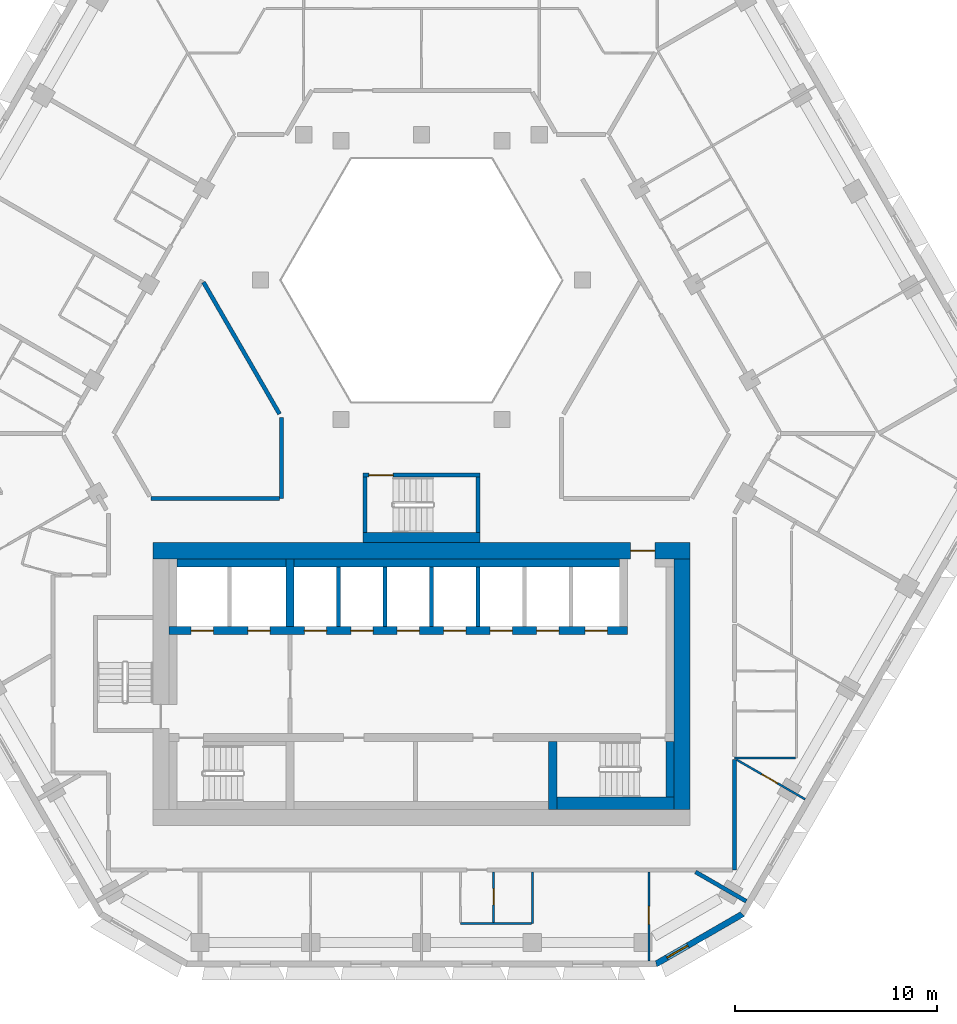
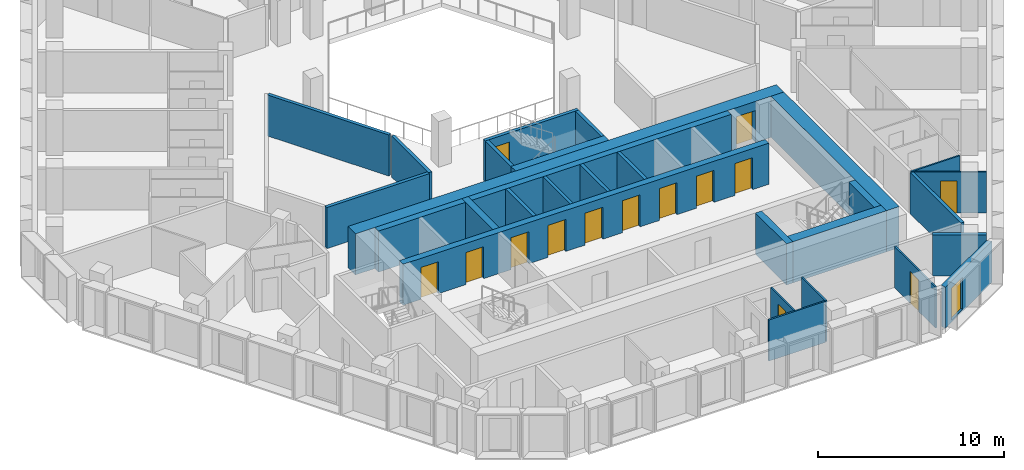
# One storey, part 5 of 15: 29 walls, 14 doors, 1 window, 15 openings.
"""IFC4 building model written with IfcOpenShell, lengths in metres."""

from ifc_helpers import new_model, si_unit, direction, frame, frame_2d, origin, place, context, subcontext, project, spatial, polyline, rectangle, outline, extrude, material, layer, layer_set, type_object, element, fill, save


model = new_model("IFC4")

# Units and contexts
model_context = context("Model", 3, precision=1e-05, world=origin(), true_north=direction((0.0, 1.0)))
body_context = subcontext(model_context, "Body", "Model", "MODEL_VIEW")
ifc_project = project(units=[si_unit("LENGTHUNIT", "METRE"), si_unit("AREAUNIT", "SQUARE_METRE"), si_unit("VOLUMEUNIT", "CUBIC_METRE"), si_unit("PLANEANGLEUNIT", "RADIAN"), si_unit("MASSUNIT", "GRAM", prefix="KILO")], contexts=[model_context])

# Site, building, storey
site_placement = place(None, origin())
site = spatial("IfcSite", under=ifc_project, at=site_placement, CompositionType="ELEMENT")
building_placement = place(site_placement, origin())
building = spatial("IfcBuilding", under=site, at=building_placement, Name="Beryl Residences", CompositionType="ELEMENT")
storey_placement = place(building_placement, frame((0.0, 0.0, 147.60009765625)))
storey = spatial("IfcBuildingStorey", under=building, at=storey_placement, Name="L45", CompositionType="ELEMENT", Elevation=147.60009765625)

# Wall, opening, window
ifc_material_1 = material(Name="Composite metal panel with mineral wool insulation")
ifc_layer_1 = layer(ifc_material_1, 0.300048828125)
ifc_layer_set_1 = layer_set([ifc_layer_1], Name="ES1 pale metal composite panel wall 300 mm")
wall_type_1 = type_object("IfcWallType", Name="ES1 pale metal composite panel wall 300 mm", PredefinedType="SOLIDWALL", material=ifc_layer_set_1)
wall_1_placement = place(storey_placement, frame((11.5869140625, -25.8701171875, 0.0), z_axis=(0.0, 0.0, 1.0), x_axis=(0.866022959057, 0.500004234368, 0.0)))
wall_1 = element("IfcWall", 1, at=wall_1_placement, inside=storey, type_object=wall_type_1, Name="ES1 external wall L45 S-SE", PredefinedType="SOLIDWALL", context=body_context, shape_type="SweptSolid", body=[
    extrude(outline(polyline([(0.0, -0.14990234375), (5.0, -0.14990234375), (4.919677734375, 0.14990234375), (0.080322265625, 0.14990234375), (0.0, -0.14990234375)])), origin(), (0.0, 0.0, 1.0), 2.699951171875),
])
opening_1_placement = place(wall_1_placement, frame((0.64990234375, 0.0, 0.14990234375)))
opening_1 = element("IfcOpeningElement", 2, at=opening_1_placement, cuts=wall_1, Name="Opening W2", PredefinedType="OPENING", context=body_context, shape_type="SweptSolid", body=[
    extrude(rectangle(XDim=1.199951171875, YDim=2.10009765625, at=frame_2d((0.60009765625, 1.050048828125))), frame((0.0, 0.159912109375, 0.0), z_axis=(0.0, -1.0, 0.0), x_axis=(1.0, 0.0, 0.0)), (0.0, 0.0, 1.0), 0.320068359375),
])
ifc_material_2 = material(Name="Aluminium and clear glass", Category="aluminium")
window_type = type_object("IfcWindowType", Name="W2 chamfer window 1200 x 2100 mm", PartitioningType="SINGLE_PANEL", PredefinedType="WINDOW", material=ifc_material_2)
window_placement = place(opening_1_placement, origin())
window = element("IfcWindow", 3, at=window_placement, inside=storey, type_object=window_type, Name="W2 window L45 S-SE 1", OverallHeight=2.10009765625, OverallWidth=1.199951171875, PartitioningType="SINGLE_PANEL", PredefinedType="WINDOW", context=body_context, shape_type="SweptSolid", body=[
    extrude(rectangle(XDim=1.199951171875, YDim=2.10009765625, at=frame_2d((0.60009765625, 1.050048828125))), frame((0.0, 0.030029296875, 0.0), z_axis=(0.0, -1.0, 0.0), x_axis=(1.0, 0.0, 0.0)), (0.0, 0.0, 1.0), 0.06005859375),
])
fill(opening_1, window)

# Wall, opening, door
ifc_material_3 = material(Name="Gypsum board partition on steel studs", Category="steel")
ifc_layer_2 = layer(ifc_material_3, 0.10009765625)
ifc_layer_set_2 = layer_set([ifc_layer_2], Name="PT1 partition 100 mm gypsum board on steel studs")
wall_type_2 = type_object("IfcWallType", Name="PT1 partition 100 mm gypsum board on steel studs", PredefinedType="PARTITIONING", material=ifc_layer_set_2)
wall_2_placement = place(storey_placement, frame((15.5869140625, -15.73388671875, 0.0), z_axis=(0.0, 0.0, 1.0), x_axis=(0.866023334807, -0.500003583557, 0.0)))
wall_2 = element("IfcWall", 4, at=wall_2_placement, inside=storey, type_object=wall_type_2, Name="Wall PT1 L45 010", PredefinedType="PARTITIONING", context=body_context, shape_type="SweptSolid", body=[
    extrude(rectangle(XDim=3.93408203125, YDim=0.10009765625, at=frame_2d((1.967041015625, 0.0))), origin(), (0.0, 0.0, 1.0), 2.699951171875),
])
opening_2_placement = place(wall_2_placement, frame((1.467041015625, 0.0, 0.0)))
opening_2 = element("IfcOpeningElement", 5, at=opening_2_placement, cuts=wall_2, Name="Opening D1311", PredefinedType="OPENING", context=body_context, shape_type="SweptSolid", body=[
    extrude(rectangle(XDim=0.89990234375, YDim=2.10009765625, at=frame_2d((0.449951171875, 1.050048828125))), frame((0.0, 0.06005859375, 0.0), z_axis=(0.0, -1.0, 0.0), x_axis=(1.0, 0.0, 0.0)), (0.0, 0.0, 1.0), 0.1201171875),
])
ifc_material_4 = material(Name="Timber door leaf", Category="wood")
door_type_1 = type_object("IfcDoorType", Name="D2 room door 900 x 2100 mm", OperationType="SINGLE_SWING_LEFT", PredefinedType="DOOR", material=ifc_material_4)
door_1_placement = place(opening_2_placement, origin())
door_1 = element("IfcDoor", 6, at=door_1_placement, inside=storey, type_object=door_type_1, Name="Door D1311 L45 001", OperationType="SINGLE_SWING_LEFT", OverallHeight=2.10009765625, OverallWidth=0.89990234375, PredefinedType="DOOR", context=body_context, shape_type="SweptSolid", body=[
    extrude(rectangle(XDim=0.89990234375, YDim=2.10009765625, at=frame_2d((0.449951171875, 1.050048828125))), frame((0.0, 0.02490234375, 0.0), z_axis=(0.0, -1.0, 0.0), x_axis=(1.0, 0.0, 0.0)), (0.0, 0.0, 1.0), 0.050048828125),
])
fill(opening_2, door_1)

# Walls
wall_3_placement = place(storey_placement, frame((15.5, -15.652099609375, 0.0), z_axis=(0.0, 0.0, 1.0), x_axis=(1.0, 0.0, 0.0)))
element("IfcWall", 7, at=wall_3_placement, inside=storey, type_object=wall_type_2, Name="Wall PT1 L45 022", PredefinedType="PARTITIONING", context=body_context, shape_type="SweptSolid", body=[
    extrude(rectangle(XDim=3.010009765625, YDim=0.10009765625, at=frame_2d((1.5048828125, 0.0))), origin(), (0.0, 0.0, 1.0), 2.699951171875),
])
wall_4_placement = place(storey_placement, frame((1.922119140625, -23.860107421875, 0.0), z_axis=(0.0, 0.0, 1.0), x_axis=(1.0, 0.0, 0.0)))
element("IfcWall", 8, at=wall_4_placement, inside=storey, type_object=wall_type_2, Name="Wall PT1 L45 023", PredefinedType="PARTITIONING", context=body_context, shape_type="SweptSolid", body=[
    extrude(rectangle(XDim=3.512939453125, YDim=0.10009765625, at=frame_2d((1.75634765625, 0.0))), origin(), (0.0, 0.0, 1.0), 2.699951171875),
])

# Wall, opening, door
wall_5_placement = place(storey_placement, frame((3.56591796875, -23.81005859375, 0.0), z_axis=(0.0, 0.0, 1.0), x_axis=(0.0, 1.0, 0.0)))
wall_5 = element("IfcWall", 9, at=wall_5_placement, inside=storey, type_object=wall_type_2, Name="Wall PT1 L45 036", PredefinedType="PARTITIONING", context=body_context, shape_type="SweptSolid", body=[
    extrude(rectangle(XDim=2.510009765625, YDim=0.10009765625, at=frame_2d((1.2548828125, 0.0))), origin(), (0.0, 0.0, 1.0), 2.699951171875),
])
opening_3_placement = place(wall_5_placement, frame((0.8798828125, 0.0, 0.0)))
opening_3 = element("IfcOpeningElement", 10, at=opening_3_placement, cuts=wall_5, Name="Opening D1303", PredefinedType="OPENING", context=body_context, shape_type="SweptSolid", body=[
    extrude(rectangle(XDim=0.800048828125, YDim=2.10009765625, at=frame_2d((0.39990234375, 1.050048828125))), frame((0.0, 0.06005859375, 0.0), z_axis=(0.0, -1.0, 0.0), x_axis=(1.0, 0.0, 0.0)), (0.0, 0.0, 1.0), 0.1201171875),
])
ifc_material_5 = material(Name="Timber door leaf", Category="wood")
door_type_2 = type_object("IfcDoorType", Name="D3 bathroom door 800 x 2100 mm", OperationType="SINGLE_SWING_LEFT", PredefinedType="DOOR", material=ifc_material_5)
door_2_placement = place(opening_3_placement, origin())
door_2 = element("IfcDoor", 11, at=door_2_placement, inside=storey, type_object=door_type_2, Name="Door D1303 L45 001", OperationType="SINGLE_SWING_LEFT", OverallHeight=2.10009765625, OverallWidth=0.800048828125, PredefinedType="DOOR", context=body_context, shape_type="SweptSolid", body=[
    extrude(rectangle(XDim=0.800048828125, YDim=2.10009765625, at=frame_2d((0.39990234375, 1.050048828125))), frame((0.0, 0.02490234375, 0.0), z_axis=(0.0, -1.0, 0.0), x_axis=(1.0, 0.0, 0.0)), (0.0, 0.0, 1.0), 0.050048828125),
])
fill(opening_3, door_2)

# Wall
wall_6_placement = place(storey_placement, frame((5.486083984375, -23.85888671875, 0.0), z_axis=(0.0, 0.0, 1.0), x_axis=(0.0, 1.0, 0.0)))
element("IfcWall", 12, at=wall_6_placement, inside=storey, type_object=wall_type_2, Name="Wall PT1 L45 037", PredefinedType="PARTITIONING", context=body_context, shape_type="SweptSolid", body=[
    extrude(rectangle(XDim=2.558837890625, YDim=0.10009765625, at=frame_2d((1.279296875, 0.0))), origin(), (0.0, 0.0, 1.0), 2.699951171875),
])

# Wall, opening, door
wall_7_placement = place(storey_placement, frame((11.2548828125, -25.699951171875, 0.0), z_axis=(0.0, 0.0, 1.0), x_axis=(0.0, 1.0, 0.0)))
wall_7 = element("IfcWall", 13, at=wall_7_placement, inside=storey, type_object=wall_type_2, Name="Wall PT1 L45 039", PredefinedType="PARTITIONING", context=body_context, shape_type="SweptSolid", body=[
    extrude(rectangle(XDim=4.39990234375, YDim=0.10009765625, at=frame_2d((2.199951171875, 0.0))), origin(), (0.0, 0.0, 1.0), 2.699951171875),
])
opening_4_placement = place(wall_7_placement, frame((1.800048828125, 0.0, 0.0)))
opening_4 = element("IfcOpeningElement", 14, at=opening_4_placement, cuts=wall_7, Name="Opening D1304", PredefinedType="OPENING", context=body_context, shape_type="SweptSolid", body=[
    extrude(rectangle(XDim=0.89990234375, YDim=2.10009765625, at=frame_2d((0.449951171875, 1.050048828125))), frame((0.0, 0.06005859375, 0.0), z_axis=(0.0, -1.0, 0.0), x_axis=(1.0, 0.0, 0.0)), (0.0, 0.0, 1.0), 0.1201171875),
])
door_3_placement = place(opening_4_placement, origin())
door_3 = element("IfcDoor", 15, at=door_3_placement, inside=storey, type_object=door_type_1, Name="Door D1304 L45 001", OperationType="SINGLE_SWING_RIGHT", OverallHeight=2.10009765625, OverallWidth=0.89990234375, PredefinedType="DOOR", context=body_context, shape_type="SweptSolid", body=[
    extrude(rectangle(XDim=0.89990234375, YDim=2.10009765625, at=frame_2d((0.449951171875, 1.050048828125))), frame((0.0, 0.02490234375, 0.0), z_axis=(0.0, -1.0, 0.0), x_axis=(1.0, 0.0, 0.0)), (0.0, 0.0, 1.0), 0.050048828125),
])
fill(opening_4, door_3)

# Walls
ifc_material_6 = material(Name="Acoustic double stud gypsum board wall")
ifc_layer_3 = layer(ifc_material_6, 0.199951171875)
ifc_layer_set_3 = layer_set([ifc_layer_3], Name="PT3 party wall 200 mm acoustic double stud")
wall_type_3 = type_object("IfcWallType", Name="PT3 party wall 200 mm acoustic double stud", PredefinedType="PARTITIONING", material=ifc_layer_set_3)
wall_8_placement = place(storey_placement, frame((13.568115234375, -21.300048828125, 0.0), z_axis=(0.0, 0.0, 1.0), x_axis=(0.865885342641, -0.500242514586, 0.0)))
element("IfcWall", 16, at=wall_8_placement, inside=storey, type_object=wall_type_3, Name="Wall PT3 L45 002", PredefinedType="PARTITIONING", context=body_context, shape_type="SweptSolid", body=[
    extrude(rectangle(XDim=2.8984375, YDim=0.199951171875, at=frame_2d((1.44921875, 0.0))), origin(), (0.0, 0.0, 1.0), 2.699951171875),
])
ifc_material_7 = material(Name="Double stud gypsum board wall")
ifc_layer_4 = layer(ifc_material_7, 0.199951171875)
ifc_layer_set_4 = layer_set([ifc_layer_4], Name="PT4 corridor wall 200 mm double stud")
wall_type_4 = type_object("IfcWallType", Name="PT4 corridor wall 200 mm double stud", PredefinedType="PARTITIONING", material=ifc_layer_set_4)
wall_9_placement = place(storey_placement, frame((-10.7958984375, 7.89990234375, 0.0), z_axis=(0.0, 0.0, 1.0), x_axis=(0.499954271211, -0.866051803703, 0.0)))
element("IfcWall", 17, at=wall_9_placement, inside=storey, type_object=wall_type_4, Name="Wall PT4 L45 001", PredefinedType="PARTITIONING", context=body_context, shape_type="SweptSolid", body=[
    extrude(rectangle(XDim=7.536376953125, YDim=0.199951171875, at=frame_2d((3.76806640625, 0.0))), origin(), (0.0, 0.0, 1.0), 2.699951171875),
])
wall_10_placement = place(storey_placement, frame((-13.39501953125, -2.800048828125, 0.0), z_axis=(0.0, 0.0, 1.0), x_axis=(1.0, 0.0, 0.0)))
element("IfcWall", 18, at=wall_10_placement, inside=storey, type_object=wall_type_4, Name="Wall PT4 L45 012", PredefinedType="PARTITIONING", context=body_context, shape_type="SweptSolid", body=[
    extrude(rectangle(XDim=6.366943359375, YDim=0.199951171875, at=frame_2d((3.18359375, 0.0))), origin(), (0.0, 0.0, 1.0), 2.699951171875),
])
wall_11_placement = place(storey_placement, frame((15.5, -21.198974609375, 0.0), z_axis=(0.0, 0.0, 1.0), x_axis=(0.0, 1.0, 0.0)))
element("IfcWall", 19, at=wall_11_placement, inside=storey, type_object=wall_type_4, Name="Wall PT4 L45 024", PredefinedType="PARTITIONING", context=body_context, shape_type="SweptSolid", body=[
    extrude(rectangle(XDim=5.4580078125, YDim=0.199951171875, at=frame_2d((2.72900390625, 0.0))), origin(), (0.0, 0.0, 1.0), 2.699951171875),
])
wall_12_placement = place(storey_placement, frame((-6.927978515625, -2.800048828125, 0.0), z_axis=(0.0, 0.0, 1.0), x_axis=(0.0, 1.0, 0.0)))
element("IfcWall", 20, at=wall_12_placement, inside=storey, type_object=wall_type_4, Name="Wall PT4 L45 026", PredefinedType="PARTITIONING", context=body_context, shape_type="SweptSolid", body=[
    extrude(rectangle(XDim=4.0, YDim=0.199951171875, at=frame_2d((2.0, 0.0))), origin(), (0.0, 0.0, 1.0), 2.699951171875),
])

# Wall, opening, door
ifc_material_8 = material(Name="Concrete C40/50", Category="concrete")
ifc_layer_5 = layer(ifc_material_8, 0.199951171875)
ifc_layer_set_5 = layer_set([ifc_layer_5], Name="PT5 stair enclosure wall 200 mm reinforced concrete C40/50")
wall_type_5 = type_object("IfcWallType", Name="PT5 stair enclosure wall 200 mm reinforced concrete C40/50", PredefinedType="SOLIDWALL", material=ifc_layer_set_5)
wall_13_placement = place(storey_placement, frame((-2.89990234375, -1.64990234375, 0.0), z_axis=(0.0, 0.0, 1.0), x_axis=(1.0, 0.0, 0.0)))
wall_13 = element("IfcWall", 21, at=wall_13_placement, inside=storey, type_object=wall_type_5, Name="Wall PT5 L45 001", PredefinedType="SOLIDWALL", context=body_context, shape_type="SweptSolid", body=[
    extrude(rectangle(XDim=5.7998046875, YDim=0.199951171875, at=frame_2d((2.89990234375, 0.0))), origin(), (0.0, 0.0, 1.0), 2.699951171875),
])
opening_5_placement = place(wall_13_placement, frame((0.300048828125, 0.0, 0.0)))
opening_5 = element("IfcOpeningElement", 22, at=opening_5_placement, cuts=wall_13, Name="Opening DS04", PredefinedType="OPENING", context=body_context, shape_type="SweptSolid", body=[
    extrude(rectangle(XDim=1.199951171875, YDim=2.10009765625, at=frame_2d((0.60009765625, 1.050048828125))), frame((0.0, 0.10986328125, 0.0), z_axis=(0.0, -1.0, 0.0), x_axis=(1.0, 0.0, 0.0)), (0.0, 0.0, 1.0), 0.219970703125),
])
ifc_material_9 = material(Name="Steel door leaf in steel frame", Category="steel")
door_type_3 = type_object("IfcDoorType", Name="D4 stair door 1200 x 2100 mm", OperationType="SINGLE_SWING_LEFT", PredefinedType="DOOR", material=ifc_material_9)
door_4_placement = place(opening_5_placement, origin())
door_4 = element("IfcDoor", 23, at=door_4_placement, inside=storey, type_object=door_type_3, Name="Door DS04 L45 001", OperationType="SINGLE_SWING_LEFT", OverallHeight=2.10009765625, OverallWidth=1.199951171875, PredefinedType="DOOR", context=body_context, shape_type="SweptSolid", body=[
    extrude(rectangle(XDim=1.199951171875, YDim=2.10009765625, at=frame_2d((0.60009765625, 1.050048828125))), frame((0.0, 0.02490234375, 0.0), z_axis=(0.0, -1.0, 0.0), x_axis=(1.0, 0.0, 0.0)), (0.0, 0.0, 1.0), 0.050048828125),
])
fill(opening_5, door_4)

# Walls
for number, where, z_axis, x_axis, name in (
    (24, (-2.800048828125, -4.5, 0.0), (0.0, 0.0, 1.0), (0.0, 1.0, 0.0), "Wall PT5 L45 002"),
    (25, (2.800048828125, -4.5, 0.0), (0.0, 0.0, 1.0), (0.0, 1.0, 0.0), "Wall PT5 L45 003"),
):
    element("IfcWall", number, at=place(storey_placement, frame(where, z_axis=z_axis, x_axis=x_axis)), inside=storey, type_object=wall_type_5, Name=name, PredefinedType="SOLIDWALL", context=body_context, shape_type="SweptSolid", body=[
        extrude(rectangle(XDim=2.75, YDim=0.199951171875, at=frame_2d((1.375, 0.0))), origin(), (0.0, 0.0, 1.0), 2.699951171875),
    ])
ifc_material_10 = material(Name="Concrete C40/50", Category="concrete")
ifc_layer_6 = layer(ifc_material_10, 0.39990234375)
ifc_layer_set_6 = layer_set([ifc_layer_6], Name="PT5-400 stair enclosure wall 400 mm")
wall_type_6 = type_object("IfcWallType", Name="PT5-400 stair enclosure wall 400 mm", PredefinedType="SOLIDWALL", material=ifc_layer_set_6)
wall_14_placement = place(storey_placement, frame((12.300048828125, -17.60009765625, 0.0), z_axis=(0.0, 0.0, 1.0), x_axis=(0.0, 1.0, 0.0)))
element("IfcWall", 26, at=wall_14_placement, inside=storey, type_object=wall_type_6, Name="Stair wall 23", PredefinedType="SOLIDWALL", context=body_context, shape_type="SweptSolid", body=[
    extrude(rectangle(XDim=2.75, YDim=0.39990234375, at=frame_2d((1.375, 0.0))), origin(), (0.0, 0.0, 1.0), 2.699951171875),
])
ifc_material_11 = material(Name="Concrete C40/50", Category="concrete")
ifc_layer_7 = layer(ifc_material_11, 0.5)
ifc_layer_set_7 = layer_set([ifc_layer_7], Name="PT5-500 stair enclosure wall 500 mm")
wall_type_7 = type_object("IfcWallType", Name="PT5-500 stair enclosure wall 500 mm", PredefinedType="SOLIDWALL", material=ifc_layer_set_7)
wall_15_placement = place(storey_placement, frame((-2.89990234375, -4.75, 0.0), z_axis=(0.0, 0.0, 1.0), x_axis=(1.0, 0.0, 0.0)))
element("IfcWall", 27, at=wall_15_placement, inside=storey, type_object=wall_type_7, Name="Wall PT5-500 L45 001", PredefinedType="SOLIDWALL", context=body_context, shape_type="SweptSolid", body=[
    extrude(rectangle(XDim=5.7998046875, YDim=0.5, at=frame_2d((2.89990234375, 0.0))), origin(), (0.0, 0.0, 1.0), 2.699951171875),
])
ifc_material_12 = material(Name="Concrete C40/50", Category="concrete")
ifc_layer_8 = layer(ifc_material_12, 0.60009765625)
ifc_layer_set_8 = layer_set([ifc_layer_8], Name="PT5-600 stair enclosure wall 600 mm")
wall_type_8 = type_object("IfcWallType", Name="PT5-600 stair enclosure wall 600 mm", PredefinedType="SOLIDWALL", material=ifc_layer_set_8)
wall_16_placement = place(storey_placement, frame((6.699951171875, -17.89990234375, 0.0), z_axis=(0.0, 0.0, 1.0), x_axis=(1.0, 0.0, 0.0)))
element("IfcWall", 28, at=wall_16_placement, inside=storey, type_object=wall_type_8, Name="Stair wall 20", PredefinedType="SOLIDWALL", context=body_context, shape_type="SweptSolid", body=[
    extrude(rectangle(XDim=5.800048828125, YDim=0.60009765625, at=frame_2d((2.89990234375, 0.0))), origin(), (0.0, 0.0, 1.0), 2.699951171875),
])
ifc_material_13 = material(Name="Concrete C40/50", Category="concrete")
ifc_layer_9 = layer(ifc_material_13, 0.199951171875)
ifc_layer_set_9 = layer_set([ifc_layer_9], Name="PT6 lift shaft wall 200 mm reinforced concrete C40/50")
wall_type_9 = type_object("IfcWallType", Name="PT6 lift shaft wall 200 mm reinforced concrete C40/50", PredefinedType="SOLIDWALL", material=ifc_layer_set_9)
for number, where, z_axis, x_axis, name in (
    (29, (-4.10009765625, -9.14990234375, 0.0), (0.0, 0.0, 1.0), (0.0, 1.0, 0.0), "Lift shaft wall 14"),
    (30, (-1.800048828125, -9.14990234375, 0.0), (0.0, 0.0, 1.0), (0.0, 1.0, 0.0), "Lift shaft wall 15"),
    (31, (0.5, -9.14990234375, 0.0), (0.0, 0.0, 1.0), (0.0, 1.0, 0.0), "Lift shaft wall 17"),
    (32, (2.800048828125, -9.14990234375, 0.0), (0.0, 0.0, 1.0), (0.0, 1.0, 0.0), "Lift shaft wall 18"),
):
    element("IfcWall", number, at=place(storey_placement, frame(where, z_axis=z_axis, x_axis=x_axis)), inside=storey, type_object=wall_type_9, Name=name, PredefinedType="SOLIDWALL", context=body_context, shape_type="SweptSolid", body=[
        extrude(rectangle(XDim=2.949951171875, YDim=0.199951171875, at=frame_2d((1.47509765625, 0.0))), origin(), (0.0, 0.0, 1.0), 2.699951171875),
    ])
ifc_material_14 = material(Name="Concrete C40/50", Category="concrete")
ifc_layer_10 = layer(ifc_material_14, 0.39990234375)
ifc_layer_set_10 = layer_set([ifc_layer_10], Name="PT6-400 lift shaft wall 400 mm")
wall_type_10 = type_object("IfcWallType", Name="PT6-400 lift shaft wall 400 mm", PredefinedType="SOLIDWALL", material=ifc_layer_set_10)
wall_17_placement = place(storey_placement, frame((-12.10009765625, -6.0, 0.0), z_axis=(0.0, 0.0, 1.0), x_axis=(1.0, 0.0, 0.0)))
element("IfcWall", 33, at=wall_17_placement, inside=storey, type_object=wall_type_10, Name="Lift shaft wall 08", PredefinedType="SOLIDWALL", context=body_context, shape_type="SweptSolid", body=[
    extrude(rectangle(XDim=5.400146484375, YDim=0.39990234375, at=frame_2d((2.7001953125, 0.0))), origin(), (0.0, 0.0, 1.0), 2.699951171875),
])
wall_18_placement = place(storey_placement, frame((-6.300048828125, -6.0, 0.0), z_axis=(0.0, 0.0, 1.0), x_axis=(1.0, 0.0, 0.0)))
element("IfcWall", 34, at=wall_18_placement, inside=storey, type_object=wall_type_10, Name="Lift shaft wall 13", PredefinedType="SOLIDWALL", context=body_context, shape_type="SweptSolid", body=[
    extrude(rectangle(XDim=16.10009765625, YDim=0.39990234375, at=frame_2d((8.050048828125, 0.0))), origin(), (0.0, 0.0, 1.0), 2.699951171875),
])

# Wall, opening, door
ifc_material_15 = material(Name="Concrete C60/75", Category="concrete")
ifc_layer_11 = layer(ifc_material_15, 0.800048828125)
ifc_layer_set_11 = layer_set([ifc_layer_11], Name="SW3 core outer wall 800 mm C60/75")
wall_type_11 = type_object("IfcWallType", Name="SW3 core outer wall 800 mm C60/75", PredefinedType="SHEAR", material=ifc_layer_set_11)
wall_19_placement = place(storey_placement, frame((-13.300048828125, -5.39990234375, 0.0), z_axis=(0.0, 0.0, 1.0), x_axis=(1.0, 0.0, 0.0)))
wall_19 = element("IfcWall", 35, at=wall_19_placement, inside=storey, type_object=wall_type_11, Name="Core wall N L45", PredefinedType="SHEAR", context=body_context, shape_type="SweptSolid", body=[
    extrude(rectangle(XDim=26.60009765625, YDim=0.800048828125, at=frame_2d((13.300048828125, 0.0))), origin(), (0.0, 0.0, 1.0), 2.699951171875),
])
opening_6_placement = place(wall_19_placement, frame((23.64990234375, 0.0, 0.0)))
opening_6 = element("IfcOpeningElement", 36, at=opening_6_placement, cuts=wall_19, Name="Opening FD-NORTH", PredefinedType="OPENING", context=body_context, shape_type="SweptSolid", body=[
    extrude(rectangle(XDim=1.199951171875, YDim=2.10009765625, at=frame_2d((0.60009765625, 1.050048828125))), frame((0.0, 0.409912109375, 0.0), z_axis=(0.0, -1.0, 0.0), x_axis=(1.0, 0.0, 0.0)), (0.0, 0.0, 1.0), 0.820068359375),
])
ifc_material_16 = material(Name="Steel door leaf in steel frame", Category="steel")
door_type_4 = type_object("IfcDoorType", Name="D22 lobby door 1200 x 2100 mm", OperationType="DOUBLE_DOOR_SINGLE_SWING", PredefinedType="DOOR", material=ifc_material_16)
door_5_placement = place(opening_6_placement, origin())
door_5 = element("IfcDoor", 37, at=door_5_placement, inside=storey, type_object=door_type_4, Name="Door FD-NORTH L45 001", OperationType="DOUBLE_DOOR_SINGLE_SWING", OverallHeight=2.10009765625, OverallWidth=1.199951171875, PredefinedType="DOOR", context=body_context, shape_type="SweptSolid", body=[
    extrude(rectangle(XDim=1.199951171875, YDim=2.10009765625, at=frame_2d((0.60009765625, 1.050048828125))), frame((0.0, 0.02490234375, 0.0), z_axis=(0.0, -1.0, 0.0), x_axis=(1.0, 0.0, 0.0)), (0.0, 0.0, 1.0), 0.050048828125),
])
fill(opening_6, door_5)

# Wall
wall_20_placement = place(storey_placement, frame((12.89990234375, -18.199951171875, 0.0), z_axis=(0.0, 0.0, 1.0), x_axis=(0.0, 1.0, 0.0)))
element("IfcWall", 38, at=wall_20_placement, inside=storey, type_object=wall_type_11, Name="Core wall E L45", PredefinedType="SHEAR", context=body_context, shape_type="SweptSolid", body=[
    extrude(rectangle(XDim=12.39990234375, YDim=0.800048828125, at=frame_2d((6.199951171875, 0.0))), origin(), (0.0, 0.0, 1.0), 2.699951171875),
])

# Wall, openings, doors
ifc_material_17 = material(Name="Concrete C60/75", Category="concrete")
ifc_layer_12 = layer(ifc_material_17, 0.39990234375)
ifc_layer_set_12 = layer_set([ifc_layer_12], Name="SW8 core internal wall 400 mm C60/75")
wall_type_12 = type_object("IfcWallType", Name="SW8 core internal wall 400 mm C60/75", PredefinedType="SHEAR", material=ifc_layer_set_12)
wall_21_placement = place(storey_placement, frame((-12.5, -9.35009765625, 0.0), z_axis=(0.0, 0.0, 1.0), x_axis=(1.0, 0.0, 0.0)))
wall_21 = element("IfcWall", 39, at=wall_21_placement, inside=storey, type_object=wall_type_12, Name="Core wall SP2 L45", PredefinedType="SHEAR", context=body_context, shape_type="SweptSolid", body=[
    extrude(rectangle(XDim=22.699951171875, YDim=0.39990234375, at=frame_2d((11.35009765625, 0.0))), origin(), (0.0, 0.0, 1.0), 2.699951171875),
])
opening_7_placement = place(wall_21_placement, frame((1.10009765625, 0.0, 0.0)))
opening_7 = element("IfcOpeningElement", 40, at=opening_7_placement, cuts=wall_21, Name="Opening LD-FF1", PredefinedType="OPENING", context=body_context, shape_type="SweptSolid", body=[
    extrude(rectangle(XDim=1.10009765625, YDim=2.10009765625, at=frame_2d((0.550048828125, 1.050048828125))), frame((0.0, 0.2099609375, 0.0), z_axis=(0.0, -1.0, 0.0), x_axis=(1.0, 0.0, 0.0)), (0.0, 0.0, 1.0), 0.419921875),
])
opening_8_placement = place(wall_21_placement, frame((3.89990234375, 0.0, 0.0)))
opening_8 = element("IfcOpeningElement", 41, at=opening_8_placement, cuts=wall_21, Name="Opening LD-FF2", PredefinedType="OPENING", context=body_context, shape_type="SweptSolid", body=[
    extrude(rectangle(XDim=1.10009765625, YDim=2.10009765625, at=frame_2d((0.550048828125, 1.050048828125))), frame((0.0, 0.2099609375, 0.0), z_axis=(0.0, -1.0, 0.0), x_axis=(1.0, 0.0, 0.0)), (0.0, 0.0, 1.0), 0.419921875),
])
opening_9_placement = place(wall_21_placement, frame((6.699951171875, 0.0, 0.0)))
opening_9 = element("IfcOpeningElement", 42, at=opening_9_placement, cuts=wall_21, Name="Opening LD-HR1", PredefinedType="OPENING", context=body_context, shape_type="SweptSolid", body=[
    extrude(rectangle(XDim=1.10009765625, YDim=2.10009765625, at=frame_2d((0.550048828125, 1.050048828125))), frame((0.0, 0.2099609375, 0.0), z_axis=(0.0, -1.0, 0.0), x_axis=(1.0, 0.0, 0.0)), (0.0, 0.0, 1.0), 0.419921875),
])
opening_10_placement = place(wall_21_placement, frame((9.0, 0.0, 0.0)))
opening_10 = element("IfcOpeningElement", 43, at=opening_10_placement, cuts=wall_21, Name="Opening LD-HR2", PredefinedType="OPENING", context=body_context, shape_type="SweptSolid", body=[
    extrude(rectangle(XDim=1.10009765625, YDim=2.10009765625, at=frame_2d((0.550048828125, 1.050048828125))), frame((0.0, 0.2099609375, 0.0), z_axis=(0.0, -1.0, 0.0), x_axis=(1.0, 0.0, 0.0)), (0.0, 0.0, 1.0), 0.419921875),
])
opening_11_placement = place(wall_21_placement, frame((11.300048828125, 0.0, 0.0)))
opening_11 = element("IfcOpeningElement", 44, at=opening_11_placement, cuts=wall_21, Name="Opening LD-HR3", PredefinedType="OPENING", context=body_context, shape_type="SweptSolid", body=[
    extrude(rectangle(XDim=1.10009765625, YDim=2.10009765625, at=frame_2d((0.550048828125, 1.050048828125))), frame((0.0, 0.2099609375, 0.0), z_axis=(0.0, -1.0, 0.0), x_axis=(1.0, 0.0, 0.0)), (0.0, 0.0, 1.0), 0.419921875),
])
opening_12_placement = place(wall_21_placement, frame((13.60009765625, 0.0, 0.0)))
opening_12 = element("IfcOpeningElement", 45, at=opening_12_placement, cuts=wall_21, Name="Opening LD-HR4", PredefinedType="OPENING", context=body_context, shape_type="SweptSolid", body=[
    extrude(rectangle(XDim=1.10009765625, YDim=2.10009765625, at=frame_2d((0.550048828125, 1.050048828125))), frame((0.0, 0.2099609375, 0.0), z_axis=(0.0, -1.0, 0.0), x_axis=(1.0, 0.0, 0.0)), (0.0, 0.0, 1.0), 0.419921875),
])
opening_13_placement = place(wall_21_placement, frame((15.89990234375, 0.0, 0.0)))
opening_13 = element("IfcOpeningElement", 46, at=opening_13_placement, cuts=wall_21, Name="Opening LD-HR5", PredefinedType="OPENING", context=body_context, shape_type="SweptSolid", body=[
    extrude(rectangle(XDim=1.10009765625, YDim=2.10009765625, at=frame_2d((0.550048828125, 1.050048828125))), frame((0.0, 0.2099609375, 0.0), z_axis=(0.0, -1.0, 0.0), x_axis=(1.0, 0.0, 0.0)), (0.0, 0.0, 1.0), 0.419921875),
])
opening_14_placement = place(wall_21_placement, frame((18.199951171875, 0.0, 0.0)))
opening_14 = element("IfcOpeningElement", 47, at=opening_14_placement, cuts=wall_21, Name="Opening LD-HR6", PredefinedType="OPENING", context=body_context, shape_type="SweptSolid", body=[
    extrude(rectangle(XDim=1.10009765625, YDim=2.10009765625, at=frame_2d((0.550048828125, 1.050048828125))), frame((0.0, 0.2099609375, 0.0), z_axis=(0.0, -1.0, 0.0), x_axis=(1.0, 0.0, 0.0)), (0.0, 0.0, 1.0), 0.419921875),
])
opening_15_placement = place(wall_21_placement, frame((20.60009765625, 0.0, 0.0)))
opening_15 = element("IfcOpeningElement", 48, at=opening_15_placement, cuts=wall_21, Name="Opening LD-SL1", PredefinedType="OPENING", context=body_context, shape_type="SweptSolid", body=[
    extrude(rectangle(XDim=1.10009765625, YDim=2.10009765625, at=frame_2d((0.550048828125, 1.050048828125))), frame((0.0, 0.2099609375, 0.0), z_axis=(0.0, -1.0, 0.0), x_axis=(1.0, 0.0, 0.0)), (0.0, 0.0, 1.0), 0.419921875),
])
ifc_material_18 = material(Name="Stainless steel sliding door", Category="steel")
door_type_5 = type_object("IfcDoorType", Name="LD1 lift landing door 1100 x 2100 mm", OperationType="DOUBLE_DOOR_SLIDING", PredefinedType="DOOR", material=ifc_material_18)
door_6_placement = place(opening_7_placement, origin())
door_6 = element("IfcDoor", 49, at=door_6_placement, inside=storey, type_object=door_type_5, Name="Lift landing door FF1", OperationType="DOUBLE_DOOR_SLIDING", OverallHeight=2.10009765625, OverallWidth=1.10009765625, PredefinedType="DOOR", context=body_context, shape_type="SweptSolid", body=[
    extrude(rectangle(XDim=1.10009765625, YDim=2.10009765625, at=frame_2d((0.550048828125, 1.050048828125))), frame((0.0, 0.02490234375, 0.0), z_axis=(0.0, -1.0, 0.0), x_axis=(1.0, 0.0, 0.0)), (0.0, 0.0, 1.0), 0.050048828125),
])
fill(opening_7, door_6)
door_7_placement = place(opening_8_placement, origin())
door_7 = element("IfcDoor", 50, at=door_7_placement, inside=storey, type_object=door_type_5, Name="Lift landing door FF2", OperationType="DOUBLE_DOOR_SLIDING", OverallHeight=2.10009765625, OverallWidth=1.10009765625, PredefinedType="DOOR", context=body_context, shape_type="SweptSolid", body=[
    extrude(rectangle(XDim=1.10009765625, YDim=2.10009765625, at=frame_2d((0.550048828125, 1.050048828125))), frame((0.0, 0.02490234375, 0.0), z_axis=(0.0, -1.0, 0.0), x_axis=(1.0, 0.0, 0.0)), (0.0, 0.0, 1.0), 0.050048828125),
])
fill(opening_8, door_7)
door_8_placement = place(opening_9_placement, origin())
door_8 = element("IfcDoor", 51, at=door_8_placement, inside=storey, type_object=door_type_5, Name="Lift landing door HR1", OperationType="DOUBLE_DOOR_SLIDING", OverallHeight=2.10009765625, OverallWidth=1.10009765625, PredefinedType="DOOR", context=body_context, shape_type="SweptSolid", body=[
    extrude(rectangle(XDim=1.10009765625, YDim=2.10009765625, at=frame_2d((0.550048828125, 1.050048828125))), frame((0.0, 0.02490234375, 0.0), z_axis=(0.0, -1.0, 0.0), x_axis=(1.0, 0.0, 0.0)), (0.0, 0.0, 1.0), 0.050048828125),
])
fill(opening_9, door_8)
door_9_placement = place(opening_10_placement, origin())
door_9 = element("IfcDoor", 52, at=door_9_placement, inside=storey, type_object=door_type_5, Name="Lift landing door HR2", OperationType="DOUBLE_DOOR_SLIDING", OverallHeight=2.10009765625, OverallWidth=1.10009765625, PredefinedType="DOOR", context=body_context, shape_type="SweptSolid", body=[
    extrude(rectangle(XDim=1.10009765625, YDim=2.10009765625, at=frame_2d((0.550048828125, 1.050048828125))), frame((0.0, 0.02490234375, 0.0), z_axis=(0.0, -1.0, 0.0), x_axis=(1.0, 0.0, 0.0)), (0.0, 0.0, 1.0), 0.050048828125),
])
fill(opening_10, door_9)
door_10_placement = place(opening_11_placement, origin())
door_10 = element("IfcDoor", 53, at=door_10_placement, inside=storey, type_object=door_type_5, Name="Lift landing door HR3", OperationType="DOUBLE_DOOR_SLIDING", OverallHeight=2.10009765625, OverallWidth=1.10009765625, PredefinedType="DOOR", context=body_context, shape_type="SweptSolid", body=[
    extrude(rectangle(XDim=1.10009765625, YDim=2.10009765625, at=frame_2d((0.550048828125, 1.050048828125))), frame((0.0, 0.02490234375, 0.0), z_axis=(0.0, -1.0, 0.0), x_axis=(1.0, 0.0, 0.0)), (0.0, 0.0, 1.0), 0.050048828125),
])
fill(opening_11, door_10)
door_11_placement = place(opening_12_placement, origin())
door_11 = element("IfcDoor", 54, at=door_11_placement, inside=storey, type_object=door_type_5, Name="Lift landing door HR4", OperationType="DOUBLE_DOOR_SLIDING", OverallHeight=2.10009765625, OverallWidth=1.10009765625, PredefinedType="DOOR", context=body_context, shape_type="SweptSolid", body=[
    extrude(rectangle(XDim=1.10009765625, YDim=2.10009765625, at=frame_2d((0.550048828125, 1.050048828125))), frame((0.0, 0.02490234375, 0.0), z_axis=(0.0, -1.0, 0.0), x_axis=(1.0, 0.0, 0.0)), (0.0, 0.0, 1.0), 0.050048828125),
])
fill(opening_12, door_11)
door_12_placement = place(opening_13_placement, origin())
door_12 = element("IfcDoor", 55, at=door_12_placement, inside=storey, type_object=door_type_5, Name="Lift landing door HR5", OperationType="DOUBLE_DOOR_SLIDING", OverallHeight=2.10009765625, OverallWidth=1.10009765625, PredefinedType="DOOR", context=body_context, shape_type="SweptSolid", body=[
    extrude(rectangle(XDim=1.10009765625, YDim=2.10009765625, at=frame_2d((0.550048828125, 1.050048828125))), frame((0.0, 0.02490234375, 0.0), z_axis=(0.0, -1.0, 0.0), x_axis=(1.0, 0.0, 0.0)), (0.0, 0.0, 1.0), 0.050048828125),
])
fill(opening_13, door_12)
door_13_placement = place(opening_14_placement, origin())
door_13 = element("IfcDoor", 56, at=door_13_placement, inside=storey, type_object=door_type_5, Name="Lift landing door HR6", OperationType="DOUBLE_DOOR_SLIDING", OverallHeight=2.10009765625, OverallWidth=1.10009765625, PredefinedType="DOOR", context=body_context, shape_type="SweptSolid", body=[
    extrude(rectangle(XDim=1.10009765625, YDim=2.10009765625, at=frame_2d((0.550048828125, 1.050048828125))), frame((0.0, 0.02490234375, 0.0), z_axis=(0.0, -1.0, 0.0), x_axis=(1.0, 0.0, 0.0)), (0.0, 0.0, 1.0), 0.050048828125),
])
fill(opening_14, door_13)
door_14_placement = place(opening_15_placement, origin())
door_14 = element("IfcDoor", 57, at=door_14_placement, inside=storey, type_object=door_type_5, Name="Lift landing door SL1", OperationType="DOUBLE_DOOR_SLIDING", OverallHeight=2.10009765625, OverallWidth=1.10009765625, PredefinedType="DOOR", context=body_context, shape_type="SweptSolid", body=[
    extrude(rectangle(XDim=1.10009765625, YDim=2.10009765625, at=frame_2d((0.550048828125, 1.050048828125))), frame((0.0, 0.02490234375, 0.0), z_axis=(0.0, -1.0, 0.0), x_axis=(1.0, 0.0, 0.0)), (0.0, 0.0, 1.0), 0.050048828125),
])
fill(opening_15, door_14)

# Walls
for number, where, z_axis, x_axis, name in (
    (58, (6.5, -18.199951171875, 0.0), (0.0, 0.0, 1.0), (0.0, 1.0, 0.0), "Core wall XS2 L45"),
    (59, (-6.5, -9.14990234375, 0.0), (0.0, 0.0, 1.0), (0.0, 1.0, 0.0), "Core wall XN1 L45"),
):
    element("IfcWall", number, at=place(storey_placement, frame(where, z_axis=z_axis, x_axis=x_axis)), inside=storey, type_object=wall_type_12, Name=name, PredefinedType="SHEAR", context=body_context, shape_type="SweptSolid", body=[
        extrude(rectangle(XDim=3.349853515625, YDim=0.39990234375, at=frame_2d((1.6748046875, 0.0))), origin(), (0.0, 0.0, 1.0), 2.699951171875),
    ])

save(model, "model.ifc")
